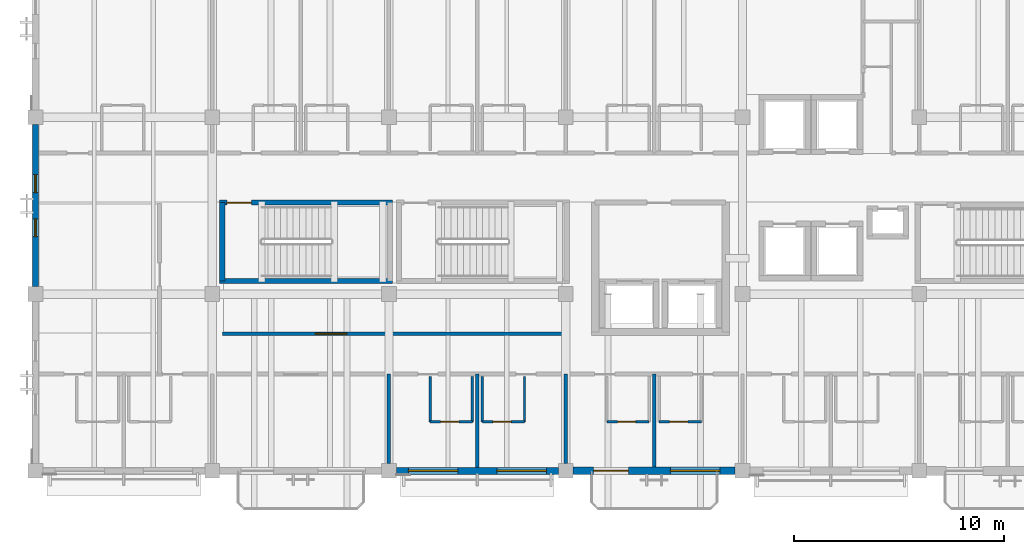
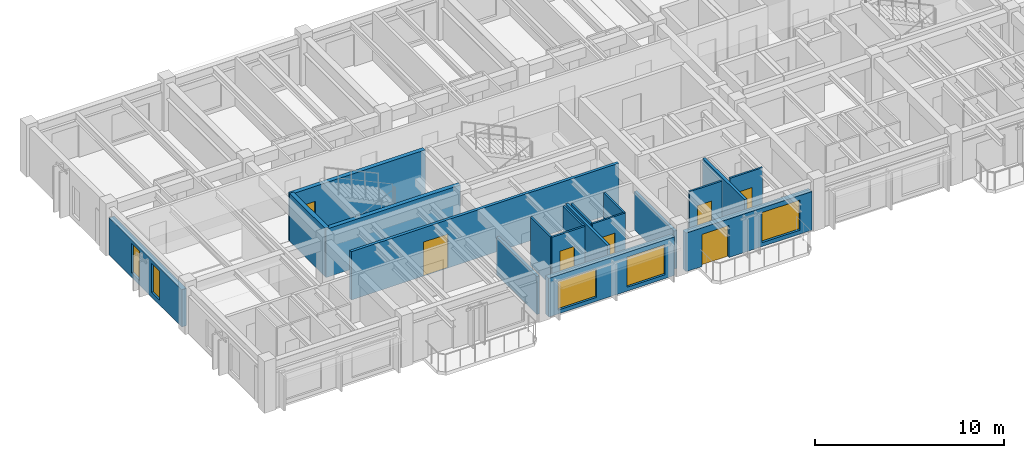
# One storey, part 6 of 18: 19 walls, 7 doors, 5 windows, 12 openings.
"""IFC4 building model written with IfcOpenShell, lengths in metres."""

from ifc_helpers import new_model, si_unit, direction, frame, frame_2d, origin, place, context, subcontext, project, spatial, rectangle, extrude, material, layer, layer_set, type_object, element, fill, save


model = new_model("IFC4")

# Units and contexts
model_context = context("Model", 3, precision=1e-05, world=origin(), true_north=direction((0.0, 1.0)))
body_context = subcontext(model_context, "Body", "Model", "MODEL_VIEW")
ifc_project = project(units=[si_unit("LENGTHUNIT", "METRE"), si_unit("AREAUNIT", "SQUARE_METRE"), si_unit("VOLUMEUNIT", "CUBIC_METRE"), si_unit("PLANEANGLEUNIT", "RADIAN"), si_unit("MASSUNIT", "GRAM", prefix="KILO")], contexts=[model_context])

# Site, building, storey
site_placement = place(None, origin())
site = spatial("IfcSite", under=ifc_project, at=site_placement, CompositionType="ELEMENT")
building_placement = place(site_placement, origin())
building = spatial("IfcBuilding", under=site, at=building_placement, Name="Cumbredor Promenade Congress Hotel", CompositionType="ELEMENT")
storey_placement = place(building_placement, frame((0.0, 0.0, 25.199951171875)))
storey = spatial("IfcBuildingStorey", under=building, at=storey_placement, Name="L07", CompositionType="ELEMENT", Elevation=25.199951171875)

# Wall, opening, door
ifc_material_1 = material(Name="Moisture-resistant gypsum board on steel studs", Category="steel")
ifc_layer_1 = layer(ifc_material_1, 0.114990234375, Name="Moisture-resistant gypsum board on steel studs", Category="steel")
ifc_layer_set_1 = layer_set([ifc_layer_1], Name="Moisture-resistant gypsum board on steel studs")
wall_type_1 = type_object("IfcWallType", Name="WL-BATH-115", PredefinedType="PARTITIONING", material=ifc_layer_set_1)
wall_1_placement = place(storey_placement, frame((18.760009765625, 94.72998046875, 0.0), z_axis=(0.0, 0.0, 1.0), x_axis=(1.0, 0.0, 0.0)))
wall_1 = element("IfcWall", 1, at=wall_1_placement, inside=storey, type_object=wall_type_1, Name="L07 Interior Partition W-L07-BH-0775", PredefinedType="PARTITIONING", context=body_context, shape_type="SweptSolid", body=[
    extrude(rectangle(XDim=2.0, YDim=0.114990234375, at=frame_2d((1.0, 0.0))), origin(), (0.0, 0.0, 1.0), 3.1201171875),
])
opening_1_placement = place(wall_1_placement, frame((0.5, 0.0, 0.0)))
opening_1 = element("IfcOpeningElement", 2, at=opening_1_placement, cuts=wall_1, Name="Opening ID-01", PredefinedType="OPENING", context=body_context, shape_type="SweptSolid", body=[
    extrude(rectangle(XDim=0.860107421875, YDim=2.050048828125, at=frame_2d((0.43017578125, 1.02490234375))), frame((0.0, 0.0673828125, 0.0), z_axis=(0.0, -1.0, 0.0), x_axis=(1.0, 0.0, 0.0)), (0.0, 0.0, 1.0), 0.135009765625),
])
ifc_material_2 = material(Name="Kiln-dried tropical hardwood", Category="wood")
door_type_1 = type_object("IfcDoorType", Name="DR-BATH-860", OperationType="NOTDEFINED", PredefinedType="DOOR", material=ifc_material_2)
door_1_placement = place(opening_1_placement, origin())
door_1 = element("IfcDoor", 3, at=door_1_placement, inside=storey, type_object=door_type_1, Name="L07 Interior Door W-L07-BH-0775-01", OperationType="SINGLE_SWING_LEFT", OverallHeight=2.050048828125, OverallWidth=0.860107421875, PredefinedType="DOOR", context=body_context, shape_type="SweptSolid", body=[
    extrude(rectangle(XDim=0.860107421875, YDim=2.050048828125, at=frame_2d((0.43017578125, 1.02490234375))), frame((0.0, 0.02490234375, 0.0), z_axis=(0.0, -1.0, 0.0), x_axis=(1.0, 0.0, 0.0)), (0.0, 0.0, 1.0), 0.050048828125),
])
fill(opening_1, door_1)

# Walls
for number, where, z_axis, x_axis, name in (
    (4, (18.760009765625, 94.72998046875, 0.0), (0.0, 0.0, 1.0), (0.0, 1.0, 0.0), "L07 Interior Partition W-L07-BV1-0775"),
    (5, (20.760009765625, 94.72998046875, 0.0), (0.0, 0.0, 1.0), (0.0, 1.0, 0.0), "L07 Interior Partition W-L07-BV2-0775"),
):
    element("IfcWall", number, at=place(storey_placement, frame(where, z_axis=z_axis, x_axis=x_axis)), inside=storey, type_object=wall_type_1, Name=name, PredefinedType="PARTITIONING", context=body_context, shape_type="SweptSolid", body=[
        extrude(rectangle(XDim=2.14990234375, YDim=0.114990234375, at=frame_2d((1.074951171875, 0.0))), origin(), (0.0, 0.0, 1.0), 3.1201171875),
    ])

# Wall, opening, door
wall_2_placement = place(storey_placement, frame((21.239990234375, 94.72998046875, 0.0), z_axis=(0.0, 0.0, 1.0), x_axis=(1.0, 0.0, 0.0)))
wall_2 = element("IfcWall", 6, at=wall_2_placement, inside=storey, type_object=wall_type_1, Name="L07 Interior Partition W-L07-BH-0776", PredefinedType="PARTITIONING", context=body_context, shape_type="SweptSolid", body=[
    extrude(rectangle(XDim=2.0, YDim=0.114990234375, at=frame_2d((1.0, 0.0))), origin(), (0.0, 0.0, 1.0), 3.1201171875),
])
opening_2_placement = place(wall_2_placement, frame((0.5, 0.0, 0.0)))
opening_2 = element("IfcOpeningElement", 7, at=opening_2_placement, cuts=wall_2, Name="Opening ID-01", PredefinedType="OPENING", context=body_context, shape_type="SweptSolid", body=[
    extrude(rectangle(XDim=0.860107421875, YDim=2.050048828125, at=frame_2d((0.43017578125, 1.02490234375))), frame((0.0, 0.0673828125, 0.0), z_axis=(0.0, -1.0, 0.0), x_axis=(1.0, 0.0, 0.0)), (0.0, 0.0, 1.0), 0.135009765625),
])
door_2_placement = place(opening_2_placement, origin())
door_2 = element("IfcDoor", 8, at=door_2_placement, inside=storey, type_object=door_type_1, Name="L07 Interior Door W-L07-BH-0776-01", OperationType="SINGLE_SWING_RIGHT", OverallHeight=2.050048828125, OverallWidth=0.860107421875, PredefinedType="DOOR", context=body_context, shape_type="SweptSolid", body=[
    extrude(rectangle(XDim=0.860107421875, YDim=2.050048828125, at=frame_2d((0.43017578125, 1.02490234375))), frame((0.0, 0.02490234375, 0.0), z_axis=(0.0, -1.0, 0.0), x_axis=(1.0, 0.0, 0.0)), (0.0, 0.0, 1.0), 0.050048828125),
])
fill(opening_2, door_2)

# Walls
for number, where, z_axis, x_axis, name in (
    (9, (21.239990234375, 94.72998046875, 0.0), (0.0, 0.0, 1.0), (0.0, 1.0, 0.0), "L07 Interior Partition W-L07-BV1-0776"),
    (10, (23.239990234375, 94.72998046875, 0.0), (0.0, 0.0, 1.0), (0.0, 1.0, 0.0), "L07 Interior Partition W-L07-BV2-0776"),
):
    element("IfcWall", number, at=place(storey_placement, frame(where, z_axis=z_axis, x_axis=x_axis)), inside=storey, type_object=wall_type_1, Name=name, PredefinedType="PARTITIONING", context=body_context, shape_type="SweptSolid", body=[
        extrude(rectangle(XDim=2.14990234375, YDim=0.114990234375, at=frame_2d((1.074951171875, 0.0))), origin(), (0.0, 0.0, 1.0), 3.1201171875),
    ])

# Wall, opening, door
wall_3_placement = place(storey_placement, frame((27.159912109375, 94.72998046875, 0.0), z_axis=(0.0, 0.0, 1.0), x_axis=(1.0, 0.0, 0.0)))
wall_3 = element("IfcWall", 11, at=wall_3_placement, inside=storey, type_object=wall_type_1, Name="L07 Interior Partition W-L07-BH-0777", PredefinedType="PARTITIONING", context=body_context, shape_type="SweptSolid", body=[
    extrude(rectangle(XDim=2.0, YDim=0.114990234375, at=frame_2d((1.0, 0.0))), origin(), (0.0, 0.0, 1.0), 3.1201171875),
])
opening_3_placement = place(wall_3_placement, frame((0.5, 0.0, 0.0)))
opening_3 = element("IfcOpeningElement", 12, at=opening_3_placement, cuts=wall_3, Name="Opening ID-01", PredefinedType="OPENING", context=body_context, shape_type="SweptSolid", body=[
    extrude(rectangle(XDim=0.860107421875, YDim=2.050048828125, at=frame_2d((0.43017578125, 1.02490234375))), frame((0.0, 0.0673828125, 0.0), z_axis=(0.0, -1.0, 0.0), x_axis=(1.0, 0.0, 0.0)), (0.0, 0.0, 1.0), 0.135009765625),
])
door_3_placement = place(opening_3_placement, origin())
door_3 = element("IfcDoor", 13, at=door_3_placement, inside=storey, type_object=door_type_1, Name="L07 Interior Door W-L07-BH-0777-01", OperationType="SINGLE_SWING_LEFT", OverallHeight=2.050048828125, OverallWidth=0.860107421875, PredefinedType="DOOR", context=body_context, shape_type="SweptSolid", body=[
    extrude(rectangle(XDim=0.860107421875, YDim=2.050048828125, at=frame_2d((0.43017578125, 1.02490234375))), frame((0.0, 0.02490234375, 0.0), z_axis=(0.0, -1.0, 0.0), x_axis=(1.0, 0.0, 0.0)), (0.0, 0.0, 1.0), 0.050048828125),
])
fill(opening_3, door_3)

wall_4_placement = place(storey_placement, frame((29.639892578125, 94.72998046875, 0.0), z_axis=(0.0, 0.0, 1.0), x_axis=(1.0, 0.0, 0.0)))
wall_4 = element("IfcWall", 14, at=wall_4_placement, inside=storey, type_object=wall_type_1, Name="L07 Interior Partition W-L07-BH-0778", PredefinedType="PARTITIONING", context=body_context, shape_type="SweptSolid", body=[
    extrude(rectangle(XDim=2.0, YDim=0.114990234375, at=frame_2d((1.0, 0.0))), origin(), (0.0, 0.0, 1.0), 3.1201171875),
])
opening_4_placement = place(wall_4_placement, frame((0.5, 0.0, 0.0)))
opening_4 = element("IfcOpeningElement", 15, at=opening_4_placement, cuts=wall_4, Name="Opening ID-01", PredefinedType="OPENING", context=body_context, shape_type="SweptSolid", body=[
    extrude(rectangle(XDim=0.860107421875, YDim=2.050048828125, at=frame_2d((0.43017578125, 1.02490234375))), frame((0.0, 0.0673828125, 0.0), z_axis=(0.0, -1.0, 0.0), x_axis=(1.0, 0.0, 0.0)), (0.0, 0.0, 1.0), 0.135009765625),
])
door_4_placement = place(opening_4_placement, origin())
door_4 = element("IfcDoor", 16, at=door_4_placement, inside=storey, type_object=door_type_1, Name="L07 Interior Door W-L07-BH-0778-01", OperationType="SINGLE_SWING_RIGHT", OverallHeight=2.050048828125, OverallWidth=0.860107421875, PredefinedType="DOOR", context=body_context, shape_type="SweptSolid", body=[
    extrude(rectangle(XDim=0.860107421875, YDim=2.050048828125, at=frame_2d((0.43017578125, 1.02490234375))), frame((0.0, 0.02490234375, 0.0), z_axis=(0.0, -1.0, 0.0), x_axis=(1.0, 0.0, 0.0)), (0.0, 0.0, 1.0), 0.050048828125),
])
fill(opening_4, door_4)

ifc_material_3 = material(Name="Fire-rated hotel corridor wall")
ifc_layer_2 = layer(ifc_material_3, 0.179931640625, Name="Fire-rated hotel corridor wall")
ifc_layer_set_2 = layer_set([ifc_layer_2], Name="Fire-rated hotel corridor wall")
wall_type_2 = type_object("IfcWallType", Name="WL-CORR-180", PredefinedType="PARTITIONING", material=ifc_layer_set_2)
wall_5_placement = place(storey_placement, frame((8.8798828125, 98.919921875, 0.0), z_axis=(0.0, 0.0, 1.0), x_axis=(1.0, 0.0, 0.0)))
wall_5 = element("IfcWall", 17, at=wall_5_placement, inside=storey, type_object=wall_type_2, Name="L07 Interior Partition W-L07-STUDY-S", PredefinedType="PARTITIONING", context=body_context, shape_type="SweptSolid", body=[
    extrude(rectangle(XDim=16.3701171875, YDim=0.179931640625, at=frame_2d((8.18505859375, 0.0))), origin(), (0.0, 0.0, 1.0), 3.1201171875),
])
opening_5_placement = place(wall_5_placement, frame((4.419921875, 0.0, 0.0)))
opening_5 = element("IfcOpeningElement", 18, at=opening_5_placement, cuts=wall_5, Name="Opening FD-07", PredefinedType="OPENING", context=body_context, shape_type="SweptSolid", body=[
    extrude(rectangle(XDim=1.5, YDim=2.199951171875, at=frame_2d((0.75, 1.10009765625))), frame((0.0, 0.10009765625, 0.0), z_axis=(0.0, -1.0, 0.0), x_axis=(1.0, 0.0, 0.0)), (0.0, 0.0, 1.0), 0.199951171875),
])
ifc_material_4 = material(Name="Solid-core fire-rated tropical hardwood", Category="wood")
door_type_2 = type_object("IfcDoorType", Name="DR-DBL-FD60-1500", OperationType="DOUBLE_DOOR_SINGLE_SWING", PredefinedType="DOOR", material=ifc_material_4)
door_5_placement = place(opening_5_placement, origin())
door_5 = element("IfcDoor", 19, at=door_5_placement, inside=storey, type_object=door_type_2, Name="L07 Interior Door W-L07-STUDY-S-01", OperationType="DOUBLE_DOOR_SINGLE_SWING", OverallHeight=2.199951171875, OverallWidth=1.5, PredefinedType="DOOR", context=body_context, shape_type="SweptSolid", body=[
    extrude(rectangle(XDim=1.5, YDim=2.199951171875, at=frame_2d((0.75, 1.10009765625))), frame((0.0, 0.02490234375, 0.0), z_axis=(0.0, -1.0, 0.0), x_axis=(1.0, 0.0, 0.0)), (0.0, 0.0, 1.0), 0.050048828125),
])
fill(opening_5, door_5)

# Wall, openings, windows
ifc_material_5 = material(Name="Concrete C40/50", Category="concrete")
ifc_layer_3 = layer(ifc_material_5, 0.300048828125, Name="Concrete C40/50", Category="concrete")
ifc_layer_set_3 = layer_set([ifc_layer_3], Name="Concrete C40/50")
wall_type_3 = type_object("IfcWallType", Name="WL-EXT-300", PredefinedType="SOLIDWALL", material=ifc_layer_set_3)
wall_6_placement = place(storey_placement, frame((0.0, 101.15087890625, 0.0), z_axis=(0.0, 0.0, 1.0), x_axis=(0.0, 1.0, 0.0)))
wall_6 = element("IfcWall", 20, at=wall_6_placement, inside=storey, type_object=wall_type_3, Name="L07 Stepped Congress Hotel Wing West Envelope Wall 2", PredefinedType="SOLIDWALL", context=body_context, shape_type="SweptSolid", body=[
    extrude(rectangle(XDim=7.6982421875, YDim=0.300048828125, at=frame_2d((3.84912109375, 0.0))), origin(), (0.0, 0.0, 1.0), 2.4140625),
])
opening_6_placement = place(wall_6_placement, frame((2.3740234375, 0.0, 0.300048828125)))
opening_6 = element("IfcOpeningElement", 21, at=opening_6_placement, cuts=wall_6, Name="Opening WN-67", PredefinedType="OPENING", context=body_context, shape_type="SweptSolid", body=[
    extrude(rectangle(XDim=0.85009765625, YDim=1.89990234375, at=frame_2d((0.425048828125, 0.949951171875))), frame((0.0, 0.16015625, 0.0), z_axis=(0.0, -1.0, 0.0), x_axis=(1.0, 0.0, 0.0)), (0.0, 0.0, 1.0), 0.320068359375),
])
opening_7_placement = place(wall_6_placement, frame((4.47412109375, 0.0, 0.300048828125)))
opening_7 = element("IfcOpeningElement", 22, at=opening_7_placement, cuts=wall_6, Name="Opening WN-67", PredefinedType="OPENING", context=body_context, shape_type="SweptSolid", body=[
    extrude(rectangle(XDim=0.85009765625, YDim=1.89990234375, at=frame_2d((0.425048828125, 0.949951171875))), frame((0.0, 0.16015625, 0.0), z_axis=(0.0, -1.0, 0.0), x_axis=(1.0, 0.0, 0.0)), (0.0, 0.0, 1.0), 0.320068359375),
])
ifc_material_6 = material(Name="Thermally broken anodized aluminium and low-E glass", Category="aluminium")
window_type_1 = type_object("IfcWindowType", Name="Vertical Slot Window WN-67 850x1900", PartitioningType="SINGLE_PANEL", PredefinedType="WINDOW", material=ifc_material_6)
window_1_placement = place(opening_6_placement, origin())
window_1 = element("IfcWindow", 23, at=window_1_placement, inside=storey, type_object=window_type_1, Name="L07 Vertical Slot Window 0640", OverallHeight=1.89990234375, OverallWidth=0.85009765625, PartitioningType="SINGLE_PANEL", PredefinedType="WINDOW", context=body_context, shape_type="SweptSolid", body=[
    extrude(rectangle(XDim=0.85009765625, YDim=1.89990234375, at=frame_2d((0.425048828125, 0.949951171875))), frame((0.0, 0.030029296875, 0.0), z_axis=(0.0, -1.0, 0.0), x_axis=(1.0, 0.0, 0.0)), (0.0, 0.0, 1.0), 0.06005859375),
])
fill(opening_6, window_1)
window_2_placement = place(opening_7_placement, origin())
window_2 = element("IfcWindow", 24, at=window_2_placement, inside=storey, type_object=window_type_1, Name="L07 Vertical Slot Window 0641", OverallHeight=1.89990234375, OverallWidth=0.85009765625, PartitioningType="SINGLE_PANEL", PredefinedType="WINDOW", context=body_context, shape_type="SweptSolid", body=[
    extrude(rectangle(XDim=0.85009765625, YDim=1.89990234375, at=frame_2d((0.425048828125, 0.949951171875))), frame((0.0, 0.030029296875, 0.0), z_axis=(0.0, -1.0, 0.0), x_axis=(1.0, 0.0, 0.0)), (0.0, 0.0, 1.0), 0.06005859375),
])
fill(opening_7, window_2)

ifc_layer_4 = layer(ifc_material_5, 0.324951171875, Name="Concrete C40/50", Category="concrete")
ifc_layer_set_4 = layer_set([ifc_layer_4], Name="Concrete C40/50")
wall_type_4 = type_object("IfcWallType", Name="WL-EXT-325", PredefinedType="SOLIDWALL", material=ifc_layer_set_4)
wall_7_placement = place(storey_placement, frame((17.15087890625, 92.39990234375, 0.0), z_axis=(0.0, 0.0, 1.0), x_axis=(1.0, 0.0, 0.0)))
wall_7 = element("IfcWall", 25, at=wall_7_placement, inside=storey, type_object=wall_type_4, Name="L07 Stepped Congress Hotel Wing South Envelope Wall 3", PredefinedType="SOLIDWALL", context=body_context, shape_type="SweptSolid", body=[
    extrude(rectangle(XDim=7.6982421875, YDim=0.324951171875, at=frame_2d((3.84912109375, 0.0))), origin(), (0.0, 0.0, 1.0), 2.494140625),
])
opening_8_placement = place(wall_7_placement, frame((0.573974609375, 0.0, 0.25)))
opening_8 = element("IfcOpeningElement", 26, at=opening_8_placement, cuts=wall_7, Name="Opening WN-02", PredefinedType="OPENING", context=body_context, shape_type="SweptSolid", body=[
    extrude(rectangle(XDim=2.35009765625, YDim=1.85009765625, at=frame_2d((1.175048828125, 0.925048828125))), frame((0.0, 0.17236328125, 0.0), z_axis=(0.0, -1.0, 0.0), x_axis=(1.0, 0.0, 0.0)), (0.0, 0.0, 1.0), 0.344970703125),
])
opening_9_placement = place(wall_7_placement, frame((4.77392578125, 0.0, 0.25)))
opening_9 = element("IfcOpeningElement", 27, at=opening_9_placement, cuts=wall_7, Name="Opening WN-08", PredefinedType="OPENING", context=body_context, shape_type="SweptSolid", body=[
    extrude(rectangle(XDim=2.35009765625, YDim=1.949951171875, at=frame_2d((1.175048828125, 0.97509765625))), frame((0.0, 0.17236328125, 0.0), z_axis=(0.0, -1.0, 0.0), x_axis=(1.0, 0.0, 0.0)), (0.0, 0.0, 1.0), 0.344970703125),
])
window_type_2 = type_object("IfcWindowType", Name="Hospitality Floor-to-Ceiling Window WN-02 2350x1850", PartitioningType="DOUBLE_PANEL_VERTICAL", PredefinedType="WINDOW", material=ifc_material_6)
window_3_placement = place(opening_8_placement, origin())
window_3 = element("IfcWindow", 28, at=window_3_placement, inside=storey, type_object=window_type_2, Name="L07 Wide Hospitality Window 0618", OverallHeight=1.85009765625, OverallWidth=2.35009765625, PartitioningType="DOUBLE_PANEL_VERTICAL", PredefinedType="WINDOW", context=body_context, shape_type="SweptSolid", body=[
    extrude(rectangle(XDim=2.35009765625, YDim=1.85009765625, at=frame_2d((1.175048828125, 0.925048828125))), frame((0.0, 0.030029296875, 0.0), z_axis=(0.0, -1.0, 0.0), x_axis=(1.0, 0.0, 0.0)), (0.0, 0.0, 1.0), 0.06005859375),
])
fill(opening_8, window_3)
window_type_3 = type_object("IfcWindowType", Name="Hospitality Floor-to-Ceiling Window WN-08 2350x1950", PartitioningType="DOUBLE_PANEL_VERTICAL", PredefinedType="WINDOW", material=ifc_material_6)
window_4_placement = place(opening_9_placement, origin())
window_4 = element("IfcWindow", 29, at=window_4_placement, inside=storey, type_object=window_type_3, Name="L07 Wide Hospitality Window 0619", OverallHeight=1.949951171875, OverallWidth=2.35009765625, PartitioningType="DOUBLE_PANEL_VERTICAL", PredefinedType="WINDOW", context=body_context, shape_type="SweptSolid", body=[
    extrude(rectangle(XDim=2.35009765625, YDim=1.949951171875, at=frame_2d((1.175048828125, 0.97509765625))), frame((0.0, 0.030029296875, 0.0), z_axis=(0.0, -1.0, 0.0), x_axis=(1.0, 0.0, 0.0)), (0.0, 0.0, 1.0), 0.06005859375),
])
fill(opening_9, window_4)

# Wall, openings, door, window
ifc_layer_5 = layer(ifc_material_5, 0.35009765625, Name="Concrete C40/50", Category="concrete")
ifc_layer_set_5 = layer_set([ifc_layer_5], Name="Concrete C40/50")
wall_type_5 = type_object("IfcWallType", Name="WL-EXT-350", PredefinedType="SOLIDWALL", material=ifc_layer_set_5)
wall_8_placement = place(storey_placement, frame((25.551025390625, 92.39990234375, 0.0), z_axis=(0.0, 0.0, 1.0), x_axis=(1.0, 0.0, 0.0)))
wall_8 = element("IfcWall", 30, at=wall_8_placement, inside=storey, type_object=wall_type_5, Name="L07 Stepped Congress Hotel Wing South Envelope Wall 4", PredefinedType="SOLIDWALL", context=body_context, shape_type="SweptSolid", body=[
    extrude(rectangle(XDim=7.697998046875, YDim=0.35009765625, at=frame_2d((3.84912109375, 0.0))), origin(), (0.0, 0.0, 1.0), 2.494140625),
])
opening_10_placement = place(wall_8_placement, frame((0.97412109375, 0.0, 0.0)))
opening_10 = element("IfcOpeningElement", 31, at=opening_10_placement, cuts=wall_8, Name="Opening TD-02", PredefinedType="OPENING", context=body_context, shape_type="SweptSolid", body=[
    extrude(rectangle(XDim=1.64990234375, YDim=2.080078125, at=frame_2d((0.824951171875, 1.0400390625))), frame((0.0, 0.18505859375, 0.0), z_axis=(0.0, -1.0, 0.0), x_axis=(1.0, 0.0, 0.0)), (0.0, 0.0, 1.0), 0.3701171875),
])
opening_11_placement = place(wall_8_placement, frame((4.6240234375, 0.0, 0.25)))
opening_11 = element("IfcOpeningElement", 32, at=opening_11_placement, cuts=wall_8, Name="Opening WN-08", PredefinedType="OPENING", context=body_context, shape_type="SweptSolid", body=[
    extrude(rectangle(XDim=2.35009765625, YDim=1.949951171875, at=frame_2d((1.175048828125, 0.97509765625))), frame((0.0, 0.18505859375, 0.0), z_axis=(0.0, -1.0, 0.0), x_axis=(1.0, 0.0, 0.0)), (0.0, 0.0, 1.0), 0.3701171875),
])
ifc_material_7 = material(Name="Thermally broken anodized aluminium and laminated safety glass", Category="aluminium")
door_type_3 = type_object("IfcDoorType", Name="EXT-DR-TER-1650x2080", OperationType="DOUBLE_DOOR_SINGLE_SWING", PredefinedType="DOOR", material=ifc_material_7)
door_6_placement = place(opening_10_placement, frame((1.64990234375, 0.0, 0.0), z_axis=(0.0, 0.0, 1.0), x_axis=(-1.0, 0.0, 0.0)))
door_6 = element("IfcDoor", 33, at=door_6_placement, inside=storey, type_object=door_type_3, Name="L07 Guestroom Veranda Balcony Door 076", OperationType="DOUBLE_DOOR_SINGLE_SWING", OverallHeight=2.080078125, OverallWidth=1.64990234375, PredefinedType="DOOR", context=body_context, shape_type="SweptSolid", body=[
    extrude(rectangle(XDim=1.64990234375, YDim=2.080078125, at=frame_2d((0.824951171875, 1.0400390625))), frame((0.0, 0.02490234375, 0.0), z_axis=(0.0, -1.0, 0.0), x_axis=(1.0, 0.0, 0.0)), (0.0, 0.0, 1.0), 0.050048828125),
])
fill(opening_10, door_6)
window_5_placement = place(opening_11_placement, origin())
window_5 = element("IfcWindow", 34, at=window_5_placement, inside=storey, type_object=window_type_3, Name="L07 Veranda Companion Floor-to-Ceiling Window 0620", OverallHeight=1.949951171875, OverallWidth=2.35009765625, PartitioningType="DOUBLE_PANEL_VERTICAL", PredefinedType="WINDOW", context=body_context, shape_type="SweptSolid", body=[
    extrude(rectangle(XDim=2.35009765625, YDim=1.949951171875, at=frame_2d((1.175048828125, 0.97509765625))), frame((0.0, 0.030029296875, 0.0), z_axis=(0.0, -1.0, 0.0), x_axis=(1.0, 0.0, 0.0)), (0.0, 0.0, 1.0), 0.06005859375),
])
fill(opening_11, window_5)

# Wall
ifc_layer_6 = layer(ifc_material_5, 0.2548828125, Name="Concrete C40/50", Category="concrete")
ifc_layer_set_6 = layer_set([ifc_layer_6], Name="Concrete C40/50")
wall_type_6 = type_object("IfcWallType", Name="WL-SHAFT-250", PredefinedType="SOLIDWALL", material=ifc_layer_set_6)
wall_9_placement = place(storey_placement, frame((8.75244140625, 101.419921875, 0.0), z_axis=(0.0, 0.0, 1.0), x_axis=(1.0, 0.0, 0.0)))
element("IfcWall", 35, at=wall_9_placement, inside=storey, type_object=wall_type_6, Name="STAIR-ST-01-L07 Shaft Wall South", PredefinedType="SOLIDWALL", context=body_context, shape_type="SweptSolid", body=[
    extrude(rectangle(XDim=8.22509765625, YDim=0.2548828125, at=frame_2d((4.112548828125, 0.0))), origin(), (0.0, 0.0, 1.0), 3.1201171875),
])

# Wall, opening, door
wall_10_placement = place(storey_placement, frame((8.75244140625, 105.14990234375, 0.0), z_axis=(0.0, 0.0, 1.0), x_axis=(1.0, 0.0, 0.0)))
wall_10 = element("IfcWall", 36, at=wall_10_placement, inside=storey, type_object=wall_type_6, Name="STAIR-ST-01-L07 Shaft Wall North", PredefinedType="SOLIDWALL", context=body_context, shape_type="SweptSolid", body=[
    extrude(rectangle(XDim=8.22509765625, YDim=0.2548828125, at=frame_2d((4.112548828125, 0.0))), origin(), (0.0, 0.0, 1.0), 3.1201171875),
])
opening_12_placement = place(wall_10_placement, frame((0.35009765625, 0.0, 0.0)))
opening_12 = element("IfcOpeningElement", 37, at=opening_12_placement, cuts=wall_10, Name="Opening SD-01", PredefinedType="OPENING", context=body_context, shape_type="SweptSolid", body=[
    extrude(rectangle(XDim=1.159912109375, YDim=2.14990234375, at=frame_2d((0.580078125, 1.074951171875))), frame((0.0, 0.137451171875, 0.0), z_axis=(0.0, -1.0, 0.0), x_axis=(1.0, 0.0, 0.0)), (0.0, 0.0, 1.0), 0.27490234375),
])
ifc_material_8 = material(Name="Painted galvanized steel fire door", Category="steel")
door_type_4 = type_object("IfcDoorType", Name="DR-STAIR-FD90-1150", OperationType="NOTDEFINED", PredefinedType="DOOR", material=ifc_material_8)
door_7_placement = place(opening_12_placement, origin())
door_7 = element("IfcDoor", 38, at=door_7_placement, inside=storey, type_object=door_type_4, Name="L07 Protected Exit Stair ST-01 Door", OperationType="SINGLE_SWING_LEFT", OverallHeight=2.14990234375, OverallWidth=1.159912109375, PredefinedType="DOOR", context=body_context, shape_type="SweptSolid", body=[
    extrude(rectangle(XDim=1.159912109375, YDim=2.14990234375, at=frame_2d((0.580078125, 1.074951171875))), frame((0.0, 0.02490234375, 0.0), z_axis=(0.0, -1.0, 0.0), x_axis=(1.0, 0.0, 0.0)), (0.0, 0.0, 1.0), 0.050048828125),
])
fill(opening_12, door_7)

# Walls
wall_11_placement = place(storey_placement, frame((8.8798828125, 101.419921875, 0.0), z_axis=(0.0, 0.0, 1.0), x_axis=(0.0, 1.0, 0.0)))
element("IfcWall", 39, at=wall_11_placement, inside=storey, type_object=wall_type_6, Name="STAIR-ST-01-L07 Shaft Wall West", PredefinedType="SOLIDWALL", context=body_context, shape_type="SweptSolid", body=[
    extrude(rectangle(XDim=3.72998046875, YDim=0.2548828125, at=frame_2d((1.864990234375, 0.0))), origin(), (0.0, 0.0, 1.0), 3.1201171875),
])
ifc_material_9 = material(Name="Fire-rated acoustic double-stud partition")
ifc_layer_7 = layer(ifc_material_9, 0.1650390625, Name="Fire-rated acoustic double-stud partition")
ifc_layer_set_7 = layer_set([ifc_layer_7], Name="Fire-rated acoustic double-stud partition")
wall_type_7 = type_object("IfcWallType", Name="WL-UNIT-165", PredefinedType="PARTITIONING", material=ifc_layer_set_7)
wall_12_placement = place(storey_placement, frame((21.0, 92.5625, 0.0), z_axis=(0.0, 0.0, 1.0), x_axis=(0.0, 1.0, 0.0)))
element("IfcWall", 40, at=wall_12_placement, inside=storey, type_object=wall_type_7, Name="L07 Interior Partition W-L07-SC-DIV-2-M", PredefinedType="PARTITIONING", context=body_context, shape_type="SweptSolid", body=[
    extrude(rectangle(XDim=4.4375, YDim=0.1650390625, at=frame_2d((2.21875, 0.0))), origin(), (0.0, 0.0, 1.0), 3.1201171875),
])
wall_13_placement = place(storey_placement, frame((16.800048828125, 92.75, 0.0), z_axis=(0.0, 0.0, 1.0), x_axis=(0.0, 1.0, 0.0)))
element("IfcWall", 41, at=wall_13_placement, inside=storey, type_object=wall_type_7, Name="L07 Interior Partition W-L07-SC-DIV-2-G", PredefinedType="PARTITIONING", context=body_context, shape_type="SweptSolid", body=[
    extrude(rectangle(XDim=4.25, YDim=0.1650390625, at=frame_2d((2.125, 0.0))), origin(), (0.0, 0.0, 1.0), 2.455078125),
])
wall_14_placement = place(storey_placement, frame((29.39990234375, 92.574951171875, 0.0), z_axis=(0.0, 0.0, 1.0), x_axis=(0.0, 1.0, 0.0)))
element("IfcWall", 42, at=wall_14_placement, inside=storey, type_object=wall_type_7, Name="L07 Interior Partition W-L07-SC-DIV-3-M", PredefinedType="PARTITIONING", context=body_context, shape_type="SweptSolid", body=[
    extrude(rectangle(XDim=4.425048828125, YDim=0.1650390625, at=frame_2d((2.21240234375, 0.0))), origin(), (0.0, 0.0, 1.0), 3.1201171875),
])
wall_15_placement = place(storey_placement, frame((25.199951171875, 92.75, 0.0), z_axis=(0.0, 0.0, 1.0), x_axis=(0.0, 1.0, 0.0)))
element("IfcWall", 43, at=wall_15_placement, inside=storey, type_object=wall_type_7, Name="L07 Interior Partition W-L07-SC-DIV-3-G", PredefinedType="PARTITIONING", context=body_context, shape_type="SweptSolid", body=[
    extrude(rectangle(XDim=4.25, YDim=0.1650390625, at=frame_2d((2.125, 0.0))), origin(), (0.0, 0.0, 1.0), 2.455078125),
])

save(model, "model.ifc")
